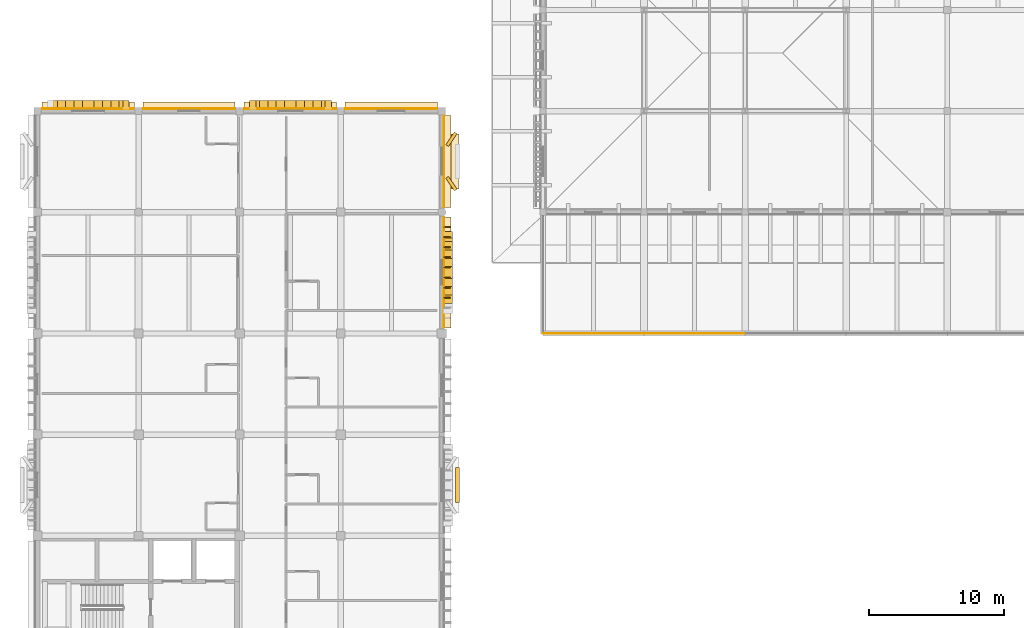
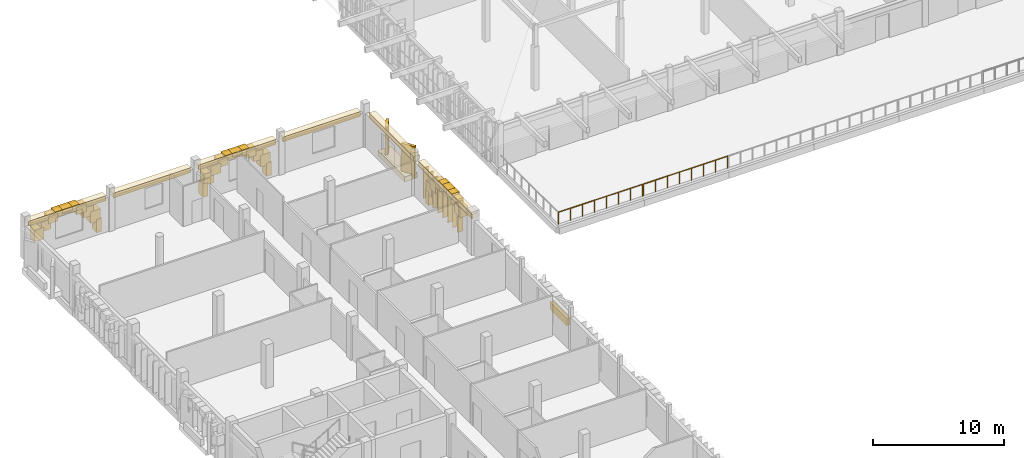
# One storey, part 39 of 48: 46 coverings, 8 shading devices, 2 railings.
"""IFC4 building model written with IfcOpenShell, lengths in metres."""

import ifcopenshell
import ifcopenshell.guid

model = None  # the IFC model being written
_history = None  # IfcOwnerHistory: only IFC2X3 demands one
_inside = {}  # id of a spatial element -> (the spatial element, [elements in it])
_under = {}  # id of a project, library or spatial element -> (it, [spatial elements below it])
_declared = {}  # id of a project -> (the project, [libraries it declares])
_typed = {}  # id of a type object -> (the type object, [elements of that type])
_made_of = {}  # id of a material, layer set ... -> (it, [elements and type objects made of it])


def new_model(schema):
    """Start an empty IFC model of exactly this schema.

    Asked for "IFC4X3", IfcOpenShell would pick the latest addendum, in which some entities
    have other attributes; the version numbers below select the first issue.
    IFC2X3 requires an IfcOwnerHistory on every rooted entity: one is made here for all.
    """
    global model, _history
    if schema == "IFC4X3":
        model = ifcopenshell.file(schema_version=(4, 3, 0, 0))
    else:
        model = ifcopenshell.file(schema=schema)
    _inside.clear()
    _under.clear()
    _declared.clear()
    _typed.clear()
    _made_of.clear()
    _history = None
    if model.schema == "IFC2X3":
        org = make("IfcOrganization", Name="unknown")
        user = make(
            "IfcPersonAndOrganization",
            ThePerson=make("IfcPerson", FamilyName="unknown"),
            TheOrganization=org,
        )
        app = make(
            "IfcApplication",
            ApplicationDeveloper=org,
            Version="unknown",
            ApplicationFullName="unknown",
            ApplicationIdentifier="unknown",
        )
        _history = make(
            "IfcOwnerHistory",
            OwningUser=user,
            OwningApplication=app,
            ChangeAction="ADDED",
            CreationDate=0,
        )
    return model


def make(cls, **values):
    """One entity of the class cls with the attributes given. An attribute that is None is left unset."""
    return model.create_entity(
        cls, **{name: value for name, value in values.items() if value is not None}
    )


def rooted(cls, **values):
    """An entity with a GlobalId (a new one), such as an element, a storey or a relation."""
    return make(cls, GlobalId=ifcopenshell.guid.new(), OwnerHistory=_history, **values)


def si_unit(unit_type, name, prefix=None):
    """IfcSIUnit, for example si_unit("LENGTHUNIT", "METRE", prefix="MILLI")."""
    return make("IfcSIUnit", UnitType=unit_type, Prefix=prefix, Name=name)


def assignment(units):
    """IfcUnitAssignment: the units of a project."""
    return None if units is None else make("IfcUnitAssignment", Units=units)


def point(xyz):
    """IfcCartesianPoint."""
    return None if xyz is None else make("IfcCartesianPoint", Coordinates=xyz)


def direction(xyz):
    """IfcDirection."""
    return None if xyz is None else make("IfcDirection", DirectionRatios=xyz)


def frame(location, z_axis=None, x_axis=None):
    """IfcAxis2Placement3D, a coordinate frame: its origin and axes. An axis left out is left unset."""
    return make(
        "IfcAxis2Placement3D",
        Location=point(location),
        Axis=direction(z_axis),
        RefDirection=direction(x_axis),
    )


def frame_2d(location, x_axis=None):
    """IfcAxis2Placement2D, a coordinate frame in the plane: its origin and x axis."""
    return make(
        "IfcAxis2Placement2D", Location=point(location), RefDirection=direction(x_axis)
    )


def origin():
    """The frame at (0, 0, 0) with its axes left unset."""
    return frame((0.0, 0.0, 0.0))


def origin_2d():
    """The frame at (0, 0) in the plane with its x axis left unset."""
    return frame_2d((0.0, 0.0))


def place(relative_to, where):
    """IfcLocalPlacement: puts the frame where relative to a parent placement (None: the world)."""
    return make(
        "IfcLocalPlacement", PlacementRelTo=relative_to, RelativePlacement=where
    )


def context(
    kind, dimensions, precision=None, world=None, true_north=None, identifier=None
):
    """IfcGeometricRepresentationContext, for example the 3D "Model" context."""
    return make(
        "IfcGeometricRepresentationContext",
        ContextIdentifier=identifier,
        ContextType=kind,
        CoordinateSpaceDimension=dimensions,
        Precision=precision,
        WorldCoordinateSystem=world,
        TrueNorth=true_north,
    )


def subcontext(parent, identifier, kind, view, scale=None):
    """IfcGeometricRepresentationSubContext, for example "Body" below "Model"."""
    return make(
        "IfcGeometricRepresentationSubContext",
        ContextIdentifier=identifier,
        ContextType=kind,
        ParentContext=parent,
        TargetScale=scale,
        TargetView=view,
    )


def project(units=None, contexts=None):
    """IfcProject with its units and contexts."""
    return rooted(
        "IfcProject",
        Name="project",
        RepresentationContexts=contexts,
        UnitsInContext=assignment(units),
    )


def spatial(cls, under=None, at=None, **own):
    """A site, building, storey or space (cls), placed at a placement, below another one or the project."""
    s = rooted(cls, ObjectPlacement=at, **own)
    if under is not None:
        _under.setdefault(under.id(), (under, []))[1].append(s)
    return s


def profile(cls, at=None, kind="AREA", **sizes):
    """A parametric profile (cls). Its sizes go by their IFC names, for example OverallWidth=200.0."""
    return make(cls, ProfileType=kind, Position=at, **sizes)


def rectangle(**sizes):
    """IfcRectangleProfileDef."""
    return profile("IfcRectangleProfileDef", **sizes)


def circle(**sizes):
    """IfcCircleProfileDef."""
    return profile("IfcCircleProfileDef", **sizes)


def extrude(swept, where, along, depth):
    """IfcExtrudedAreaSolid: the profile swept, set in the frame where, extruded along a direction by depth."""
    return make(
        "IfcExtrudedAreaSolid",
        SweptArea=swept,
        Position=where,
        ExtrudedDirection=direction(along),
        Depth=depth,
    )


def shape(context_of_items, identifier, shape_type, items):
    """IfcShapeRepresentation: the items that make up one representation, for example the "Body"."""
    return make(
        "IfcShapeRepresentation",
        ContextOfItems=context_of_items,
        RepresentationIdentifier=identifier,
        RepresentationType=shape_type,
        Items=items,
    )


def material(Name=None, Category=None):
    """IfcMaterial."""
    return make("IfcMaterial", Name=Name, Category=Category)


def layer(
    of_material, thickness, ventilated=None, Name=None, Category=None, Priority=None
):
    """IfcMaterialLayer: one layer of a wall or slab, of a material (None: an air gap)."""
    return make(
        "IfcMaterialLayer",
        Material=of_material,
        LayerThickness=thickness,
        IsVentilated=ventilated,
        Name=Name,
        Category=Category,
        Priority=Priority,
    )


def layer_set(layers, Name=None):
    """IfcMaterialLayerSet."""
    return make("IfcMaterialLayerSet", MaterialLayers=layers, LayerSetName=Name)


def made_of(thing, what):
    """Note that an element or type object is made of a material, layer set ...; save() writes the relation."""
    if what is not None:
        _made_of.setdefault(what.id(), (what, []))[1].append(thing)
    return thing


def type_object(cls, material=None, **own):
    """A type object (cls), such as IfcWallType, which elements share."""
    return made_of(rooted(cls, **own), material)


def element(
    cls,
    number,
    at=None,
    inside=None,
    cuts=None,
    type_object=None,
    material=None,
    context=None,
    identifier="Body",
    shape_type=None,
    held_by="IfcProductDefinitionShape",
    body=None,
    shapes=None,
    **own,
):
    """One element of the class cls, such as IfcWall. Its Tag is "e" and its number.

    at: its placement. inside: the storey or other place that contains it. cuts: it is an
    opening in that element (IfcRelVoidsElement). A single representation is given by context,
    identifier, shape_type and body (its items); several are given by shapes. held_by: the class
    of the entity that holds the representations. save() writes the other relations.
    """
    e = rooted(cls, Tag="e%d" % number, ObjectPlacement=at, **own)
    if body is not None:
        shapes = [shape(context, identifier, shape_type, body)]
    if shapes is not None:
        e.Representation = make(held_by, Representations=shapes)
    if inside is not None:
        _inside.setdefault(inside.id(), (inside, []))[1].append(e)
    if cuts is not None:
        rooted(
            "IfcRelVoidsElement", RelatingBuildingElement=cuts, RelatedOpeningElement=e
        )
    if type_object is not None:
        _typed.setdefault(type_object.id(), (type_object, []))[1].append(e)
    return made_of(e, material)


def aggregate(whole, parts):
    """IfcRelAggregates: a whole, such as a stair, and the parts it consists of."""
    return rooted("IfcRelAggregates", RelatingObject=whole, RelatedObjects=parts)


def save(model, path):
    """Write the relations noted so far, then the file.

    IfcRelAggregates (storeys below a building ...), IfcRelContainedInSpatialStructure (elements
    in a storey), IfcRelDefinesByType, IfcRelAssociatesMaterial and IfcRelDeclares: one each for
    every whole, place, type object, material and project.
    """
    for whole, parts in _under.values():
        aggregate(whole, parts)
    for where, things in _inside.values():
        rooted(
            "IfcRelContainedInSpatialStructure",
            RelatedElements=things,
            RelatingStructure=where,
        )
    for kind, things in _typed.values():
        rooted("IfcRelDefinesByType", RelatedObjects=things, RelatingType=kind)
    for what, things in _made_of.values():
        rooted("IfcRelAssociatesMaterial", RelatedObjects=things, RelatingMaterial=what)
    for by, libraries in _declared.values():
        rooted("IfcRelDeclares", RelatingContext=by, RelatedDefinitions=libraries)
    model.write(path)


model = new_model("IFC4")

# Units and contexts
model_context = context("Model", 3, precision=1e-05, world=origin(), true_north=direction((0.0, 1.0)))
body_context = subcontext(model_context, "Body", "Model", "MODEL_VIEW")
ifc_project = project(units=[si_unit("LENGTHUNIT", "METRE"), si_unit("AREAUNIT", "SQUARE_METRE"), si_unit("VOLUMEUNIT", "CUBIC_METRE"), si_unit("PLANEANGLEUNIT", "RADIAN"), si_unit("MASSUNIT", "GRAM", prefix="KILO")], contexts=[model_context])

# Site, building, storey
site_placement = place(None, origin())
site = spatial("IfcSite", under=ifc_project, at=site_placement, CompositionType="ELEMENT")
building_placement = place(site_placement, origin())
building = spatial("IfcBuilding", under=site, at=building_placement, Name="Dalvernix Boulevard General Hospital", CompositionType="ELEMENT")
storey_placement = place(building_placement, frame((0.0, 0.0, 17.85009765625)))
storey = spatial("IfcBuildingStorey", under=building, at=storey_placement, Name="L04", CompositionType="ELEMENT", Elevation=17.85009765625)

# Coverings
ifc_material_1 = material(Name="Pressed Catalan clay brick and dressed limestone parabolic archivolt", Category="masonry")
ifc_layer_1 = layer(ifc_material_1, 0.419921875)
ifc_layer_set_1 = layer_set([ifc_layer_1], Name="Pressed Catalan clay brick and dressed limestone parabolic archivolt (COV-ARC-01)")
covering_type_1 = type_object("IfcCoveringType", Name="COV-ARC-01", PredefinedType="CLADDING", material=ifc_layer_set_1)
covering_1_placement = place(storey_placement, frame((6.5625, 93.4599609375, 0.0), z_axis=(0.0, 0.0, 1.0), x_axis=(1.0, 0.0, 0.0)))
element("IfcCovering", 1, at=covering_1_placement, inside=storey, type_object=covering_type_1, Name="L04 Catalan parabolic arch impost pier N 0-12-R", PredefinedType="CLADDING", context=body_context, shape_type="SweptSolid", body=[
    extrude(rectangle(XDim=0.4599609375, YDim=0.659912109375, at=origin_2d()), origin(), (0.0, 0.0, 1.0), 1.25),
])
covering_2_placement = place(storey_placement, frame((1.273681640625, 93.4599609375, 1.06005859375), z_axis=(0.0, 0.0, 1.0), x_axis=(1.0, 0.0, 0.0)))
element("IfcCovering", 2, at=covering_2_placement, inside=storey, type_object=covering_type_1, Name="L04 Catalan parabolic archivolt voussoir N 0-12-1", PredefinedType="CLADDING", context=body_context, shape_type="SweptSolid", body=[
    extrude(rectangle(XDim=0.8623046875, YDim=0.659912109375, at=origin_2d()), origin(), (0.0, 0.0, 1.0), 1.091064453125),
])
covering_3_placement = place(storey_placement, frame((1.895751953125, 93.4599609375, 1.77099609375), z_axis=(0.0, 0.0, 1.0), x_axis=(1.0, 0.0, 0.0)))
element("IfcCovering", 3, at=covering_3_placement, inside=storey, type_object=covering_type_1, Name="L04 Catalan parabolic archivolt voussoir N 0-12-2", PredefinedType="CLADDING", context=body_context, shape_type="SweptSolid", body=[
    extrude(rectangle(XDim=0.8623046875, YDim=0.659912109375, at=origin_2d()), origin(), (0.0, 0.0, 1.0), 0.913330078125),
])
covering_4_placement = place(storey_placement, frame((2.51806640625, 93.4599609375, 2.30419921875), z_axis=(0.0, 0.0, 1.0), x_axis=(1.0, 0.0, 0.0)))
element("IfcCovering", 4, at=covering_4_placement, inside=storey, type_object=covering_type_1, Name="L04 Catalan parabolic archivolt voussoir N 0-12-3", PredefinedType="CLADDING", context=body_context, shape_type="SweptSolid", body=[
    extrude(rectangle(XDim=0.8623046875, YDim=0.659912109375, at=origin_2d()), origin(), (0.0, 0.0, 1.0), 0.735595703125),
])
covering_5_placement = place(storey_placement, frame((3.140380859375, 93.4599609375, 2.65966796875), z_axis=(0.0, 0.0, 1.0), x_axis=(1.0, 0.0, 0.0)))
element("IfcCovering", 5, at=covering_5_placement, inside=storey, type_object=covering_type_1, Name="L04 Catalan parabolic archivolt voussoir N 0-12-4", PredefinedType="CLADDING", context=body_context, shape_type="SweptSolid", body=[
    extrude(rectangle(XDim=0.8623046875, YDim=0.659912109375, at=origin_2d()), origin(), (0.0, 0.0, 1.0), 0.557861328125),
])
covering_6_placement = place(storey_placement, frame((3.762451171875, 93.4599609375, 2.837646484375), z_axis=(0.0, 0.0, 1.0), x_axis=(1.0, 0.0, 0.0)))
element("IfcCovering", 6, at=covering_6_placement, inside=storey, type_object=covering_type_1, Name="L04 Catalan parabolic archivolt voussoir N 0-12-5", PredefinedType="CLADDING", context=body_context, shape_type="SweptSolid", body=[
    extrude(rectangle(XDim=0.8623046875, YDim=0.659912109375, at=origin_2d()), origin(), (0.0, 0.0, 1.0), 0.3798828125),
])
covering_7_placement = place(storey_placement, frame((4.384765625, 93.4599609375, 2.65966796875), z_axis=(0.0, 0.0, 1.0), x_axis=(1.0, 0.0, 0.0)))
element("IfcCovering", 7, at=covering_7_placement, inside=storey, type_object=covering_type_1, Name="L04 Catalan parabolic archivolt voussoir N 0-12-6", PredefinedType="CLADDING", context=body_context, shape_type="SweptSolid", body=[
    extrude(rectangle(XDim=0.8623046875, YDim=0.659912109375, at=origin_2d()), origin(), (0.0, 0.0, 1.0), 0.557861328125),
])
covering_8_placement = place(storey_placement, frame((5.0068359375, 93.4599609375, 2.30419921875), z_axis=(0.0, 0.0, 1.0), x_axis=(1.0, 0.0, 0.0)))
element("IfcCovering", 8, at=covering_8_placement, inside=storey, type_object=covering_type_1, Name="L04 Catalan parabolic archivolt voussoir N 0-12-7", PredefinedType="CLADDING", context=body_context, shape_type="SweptSolid", body=[
    extrude(rectangle(XDim=0.8623046875, YDim=0.659912109375, at=origin_2d()), origin(), (0.0, 0.0, 1.0), 0.735595703125),
])
covering_9_placement = place(storey_placement, frame((5.629150390625, 93.4599609375, 1.77099609375), z_axis=(0.0, 0.0, 1.0), x_axis=(1.0, 0.0, 0.0)))
element("IfcCovering", 9, at=covering_9_placement, inside=storey, type_object=covering_type_1, Name="L04 Catalan parabolic archivolt voussoir N 0-12-8", PredefinedType="CLADDING", context=body_context, shape_type="SweptSolid", body=[
    extrude(rectangle(XDim=0.8623046875, YDim=0.659912109375, at=origin_2d()), origin(), (0.0, 0.0, 1.0), 0.913330078125),
])
covering_10_placement = place(storey_placement, frame((6.25146484375, 93.4599609375, 1.06005859375), z_axis=(0.0, 0.0, 1.0), x_axis=(1.0, 0.0, 0.0)))
element("IfcCovering", 10, at=covering_10_placement, inside=storey, type_object=covering_type_1, Name="L04 Catalan parabolic archivolt voussoir N 0-12-9", PredefinedType="CLADDING", context=body_context, shape_type="SweptSolid", body=[
    extrude(rectangle(XDim=0.8623046875, YDim=0.659912109375, at=origin_2d()), origin(), (0.0, 0.0, 1.0), 1.091064453125),
])
for number, where, z_axis, x_axis, name in (
    (11, (15.96240234375, 93.4599609375, 0.0), (0.0, 0.0, 1.0), (1.0, 0.0, 0.0), "L04 Catalan parabolic arch impost pier N 2-12-L"),
    (12, (21.5625, 93.4599609375, 0.0), (0.0, 0.0, 1.0), (1.0, 0.0, 0.0), "L04 Catalan parabolic arch impost pier N 2-12-R"),
):
    element("IfcCovering", number, at=place(storey_placement, frame(where, z_axis=z_axis, x_axis=x_axis)), inside=storey, type_object=covering_type_1, Name=name, PredefinedType="CLADDING", context=body_context, shape_type="SweptSolid", body=[
        extrude(rectangle(XDim=0.4599609375, YDim=0.659912109375, at=origin_2d()), origin(), (0.0, 0.0, 1.0), 1.25),
    ])
covering_11_placement = place(storey_placement, frame((16.273681640625, 93.4599609375, 1.06005859375), z_axis=(0.0, 0.0, 1.0), x_axis=(1.0, 0.0, 0.0)))
element("IfcCovering", 13, at=covering_11_placement, inside=storey, type_object=covering_type_1, Name="L04 Catalan parabolic archivolt voussoir N 2-12-1", PredefinedType="CLADDING", context=body_context, shape_type="SweptSolid", body=[
    extrude(rectangle(XDim=0.8623046875, YDim=0.659912109375, at=origin_2d()), origin(), (0.0, 0.0, 1.0), 1.091064453125),
])
covering_12_placement = place(storey_placement, frame((16.895751953125, 93.4599609375, 1.77099609375), z_axis=(0.0, 0.0, 1.0), x_axis=(1.0, 0.0, 0.0)))
element("IfcCovering", 14, at=covering_12_placement, inside=storey, type_object=covering_type_1, Name="L04 Catalan parabolic archivolt voussoir N 2-12-2", PredefinedType="CLADDING", context=body_context, shape_type="SweptSolid", body=[
    extrude(rectangle(XDim=0.8623046875, YDim=0.659912109375, at=origin_2d()), origin(), (0.0, 0.0, 1.0), 0.913330078125),
])
covering_13_placement = place(storey_placement, frame((17.51806640625, 93.4599609375, 2.30419921875), z_axis=(0.0, 0.0, 1.0), x_axis=(1.0, 0.0, 0.0)))
element("IfcCovering", 15, at=covering_13_placement, inside=storey, type_object=covering_type_1, Name="L04 Catalan parabolic archivolt voussoir N 2-12-3", PredefinedType="CLADDING", context=body_context, shape_type="SweptSolid", body=[
    extrude(rectangle(XDim=0.8623046875, YDim=0.659912109375, at=origin_2d()), origin(), (0.0, 0.0, 1.0), 0.735595703125),
])
covering_14_placement = place(storey_placement, frame((18.140380859375, 93.4599609375, 2.65966796875), z_axis=(0.0, 0.0, 1.0), x_axis=(1.0, 0.0, 0.0)))
element("IfcCovering", 16, at=covering_14_placement, inside=storey, type_object=covering_type_1, Name="L04 Catalan parabolic archivolt voussoir N 2-12-4", PredefinedType="CLADDING", context=body_context, shape_type="SweptSolid", body=[
    extrude(rectangle(XDim=0.8623046875, YDim=0.659912109375, at=origin_2d()), origin(), (0.0, 0.0, 1.0), 0.557861328125),
])
covering_15_placement = place(storey_placement, frame((18.762451171875, 93.4599609375, 2.837646484375), z_axis=(0.0, 0.0, 1.0), x_axis=(1.0, 0.0, 0.0)))
element("IfcCovering", 17, at=covering_15_placement, inside=storey, type_object=covering_type_1, Name="L04 Catalan parabolic archivolt voussoir N 2-12-5", PredefinedType="CLADDING", context=body_context, shape_type="SweptSolid", body=[
    extrude(rectangle(XDim=0.8623046875, YDim=0.659912109375, at=origin_2d()), origin(), (0.0, 0.0, 1.0), 0.3798828125),
])
covering_16_placement = place(storey_placement, frame((19.384765625, 93.4599609375, 2.65966796875), z_axis=(0.0, 0.0, 1.0), x_axis=(1.0, 0.0, 0.0)))
element("IfcCovering", 18, at=covering_16_placement, inside=storey, type_object=covering_type_1, Name="L04 Catalan parabolic archivolt voussoir N 2-12-6", PredefinedType="CLADDING", context=body_context, shape_type="SweptSolid", body=[
    extrude(rectangle(XDim=0.8623046875, YDim=0.659912109375, at=origin_2d()), origin(), (0.0, 0.0, 1.0), 0.557861328125),
])
covering_17_placement = place(storey_placement, frame((20.0068359375, 93.4599609375, 2.30419921875), z_axis=(0.0, 0.0, 1.0), x_axis=(1.0, 0.0, 0.0)))
element("IfcCovering", 19, at=covering_17_placement, inside=storey, type_object=covering_type_1, Name="L04 Catalan parabolic archivolt voussoir N 2-12-7", PredefinedType="CLADDING", context=body_context, shape_type="SweptSolid", body=[
    extrude(rectangle(XDim=0.8623046875, YDim=0.659912109375, at=origin_2d()), origin(), (0.0, 0.0, 1.0), 0.735595703125),
])
covering_18_placement = place(storey_placement, frame((20.629150390625, 93.4599609375, 1.77099609375), z_axis=(0.0, 0.0, 1.0), x_axis=(1.0, 0.0, 0.0)))
element("IfcCovering", 20, at=covering_18_placement, inside=storey, type_object=covering_type_1, Name="L04 Catalan parabolic archivolt voussoir N 2-12-8", PredefinedType="CLADDING", context=body_context, shape_type="SweptSolid", body=[
    extrude(rectangle(XDim=0.8623046875, YDim=0.659912109375, at=origin_2d()), origin(), (0.0, 0.0, 1.0), 0.913330078125),
])
covering_19_placement = place(storey_placement, frame((21.25146484375, 93.4599609375, 1.06005859375), z_axis=(0.0, 0.0, 1.0), x_axis=(1.0, 0.0, 0.0)))
element("IfcCovering", 21, at=covering_19_placement, inside=storey, type_object=covering_type_1, Name="L04 Catalan parabolic archivolt voussoir N 2-12-9", PredefinedType="CLADDING", context=body_context, shape_type="SweptSolid", body=[
    extrude(rectangle(XDim=0.8623046875, YDim=0.659912109375, at=origin_2d()), origin(), (0.0, 0.0, 1.0), 1.091064453125),
])
covering_20_placement = place(storey_placement, frame((30.4599609375, 83.824951171875, 0.0), z_axis=(0.0, 0.0, 1.0), x_axis=(0.0, -1.0, 0.0)))
element("IfcCovering", 22, at=covering_20_placement, inside=storey, type_object=covering_type_1, Name="L04 Catalan parabolic arch impost pier E 4-10-L", PredefinedType="CLADDING", context=body_context, shape_type="SweptSolid", body=[
    extrude(rectangle(XDim=0.4599609375, YDim=0.659912109375, at=origin_2d()), origin(), (0.0, 0.0, 1.0), 1.25),
])
covering_21_placement = place(storey_placement, frame((30.4599609375, 83.513916015625, 1.059814453125), z_axis=(0.0, 0.0, 1.0), x_axis=(0.0, -1.0, 0.0)))
element("IfcCovering", 23, at=covering_21_placement, inside=storey, type_object=covering_type_1, Name="L04 Catalan parabolic archivolt voussoir E 4-10-1", PredefinedType="CLADDING", context=body_context, shape_type="SweptSolid", body=[
    extrude(rectangle(XDim=0.8623046875, YDim=0.659912109375, at=origin_2d()), origin(), (0.0, 0.0, 1.0), 1.11083984375),
])
covering_22_placement = place(storey_placement, frame((30.4599609375, 82.8916015625, 1.791015625), z_axis=(0.0, 0.0, 1.0), x_axis=(0.0, -1.0, 0.0)))
element("IfcCovering", 24, at=covering_22_placement, inside=storey, type_object=covering_type_1, Name="L04 Catalan parabolic archivolt voussoir E 4-10-2", PredefinedType="CLADDING", context=body_context, shape_type="SweptSolid", body=[
    extrude(rectangle(XDim=0.8623046875, YDim=0.659912109375, at=origin_2d()), origin(), (0.0, 0.0, 1.0), 0.927978515625),
])
covering_23_placement = place(storey_placement, frame((30.4599609375, 82.269287109375, 2.3388671875), z_axis=(0.0, 0.0, 1.0), x_axis=(0.0, -1.0, 0.0)))
element("IfcCovering", 25, at=covering_23_placement, inside=storey, type_object=covering_type_1, Name="L04 Catalan parabolic archivolt voussoir E 4-10-3", PredefinedType="CLADDING", context=body_context, shape_type="SweptSolid", body=[
    extrude(rectangle(XDim=0.8623046875, YDim=0.659912109375, at=origin_2d()), origin(), (0.0, 0.0, 1.0), 0.745361328125),
])
covering_24_placement = place(storey_placement, frame((30.4599609375, 81.647216796875, 2.7041015625), z_axis=(0.0, 0.0, 1.0), x_axis=(0.0, -1.0, 0.0)))
element("IfcCovering", 26, at=covering_24_placement, inside=storey, type_object=covering_type_1, Name="L04 Catalan parabolic archivolt voussoir E 4-10-4", PredefinedType="CLADDING", context=body_context, shape_type="SweptSolid", body=[
    extrude(rectangle(XDim=0.8623046875, YDim=0.659912109375, at=origin_2d()), origin(), (0.0, 0.0, 1.0), 0.562744140625),
])
covering_25_placement = place(storey_placement, frame((30.4599609375, 81.02490234375, 2.88720703125), z_axis=(0.0, 0.0, 1.0), x_axis=(0.0, -1.0, 0.0)))
element("IfcCovering", 27, at=covering_25_placement, inside=storey, type_object=covering_type_1, Name="L04 Catalan parabolic archivolt voussoir E 4-10-5", PredefinedType="CLADDING", context=body_context, shape_type="SweptSolid", body=[
    extrude(rectangle(XDim=0.8623046875, YDim=0.659912109375, at=origin_2d()), origin(), (0.0, 0.0, 1.0), 0.3798828125),
])
covering_26_placement = place(storey_placement, frame((30.4599609375, 80.40283203125, 2.7041015625), z_axis=(0.0, 0.0, 1.0), x_axis=(0.0, -1.0, 0.0)))
element("IfcCovering", 28, at=covering_26_placement, inside=storey, type_object=covering_type_1, Name="L04 Catalan parabolic archivolt voussoir E 4-10-6", PredefinedType="CLADDING", context=body_context, shape_type="SweptSolid", body=[
    extrude(rectangle(XDim=0.8623046875, YDim=0.659912109375, at=origin_2d()), origin(), (0.0, 0.0, 1.0), 0.562744140625),
])
covering_27_placement = place(storey_placement, frame((30.4599609375, 79.780517578125, 2.3388671875), z_axis=(0.0, 0.0, 1.0), x_axis=(0.0, -1.0, 0.0)))
element("IfcCovering", 29, at=covering_27_placement, inside=storey, type_object=covering_type_1, Name="L04 Catalan parabolic archivolt voussoir E 4-10-7", PredefinedType="CLADDING", context=body_context, shape_type="SweptSolid", body=[
    extrude(rectangle(XDim=0.8623046875, YDim=0.659912109375, at=origin_2d()), origin(), (0.0, 0.0, 1.0), 0.745361328125),
])
covering_28_placement = place(storey_placement, frame((30.4599609375, 79.158203125, 1.791015625), z_axis=(0.0, 0.0, 1.0), x_axis=(0.0, -1.0, 0.0)))
element("IfcCovering", 30, at=covering_28_placement, inside=storey, type_object=covering_type_1, Name="L04 Catalan parabolic archivolt voussoir E 4-10-8", PredefinedType="CLADDING", context=body_context, shape_type="SweptSolid", body=[
    extrude(rectangle(XDim=0.8623046875, YDim=0.659912109375, at=origin_2d()), origin(), (0.0, 0.0, 1.0), 0.927978515625),
])
ifc_material_2 = material(Name="Polychrome glazed Catalan trencadis ceramic faceted bay spandrel")
ifc_layer_2 = layer(ifc_material_2, 0.280029296875)
ifc_layer_set_2 = layer_set([ifc_layer_2], Name="Polychrome glazed Catalan trencadis ceramic faceted bay spandrel (COV-BAY-01)")
covering_type_2 = type_object("IfcCoveringType", Name="COV-BAY-01", PredefinedType="CLADDING", material=ifc_layer_set_2)
covering_29_placement = place(storey_placement, frame((31.159912109375, 65.25, 0.3798828125), z_axis=(0.0, 0.0, 1.0), x_axis=(0.0, -1.0, 0.0)))
element("IfcCovering", 31, at=covering_29_placement, inside=storey, type_object=covering_type_2, Name="L04 projecting faceted trencadis bay spandrel E 4-8", PredefinedType="CLADDING", context=body_context, shape_type="SweptSolid", body=[
    extrude(rectangle(XDim=2.60009765625, YDim=0.280029296875, at=origin_2d()), origin(), (0.0, 0.0, 1.0), 0.679931640625),
])
for number, where, z_axis, x_axis, name in (
    (32, (30.7099609375, 90.91259765625, 0.080078125), (0.0, 0.0, 1.0), (-0.559192903471, -0.829037572555, 0.0), "L04 projecting faceted Catalan bay cheek E 4-11-L"),
    (33, (30.7099609375, 87.612548828125, 0.080078125), (0.0, 0.0, 1.0), (0.559192903471, -0.829037572555, 0.0), "L04 projecting faceted Catalan bay cheek E 4-11-R"),
):
    element("IfcCovering", number, at=place(storey_placement, frame(where, z_axis=z_axis, x_axis=x_axis)), inside=storey, type_object=covering_type_2, Name=name, PredefinedType="CLADDING", context=body_context, shape_type="SweptSolid", body=[
        extrude(rectangle(XDim=1.14990234375, YDim=0.239990234375, at=origin_2d()), origin(), (0.0, 0.0, 1.0), 3.010009765625),
    ])
ifc_material_3 = material(Name="Polychrome Catalan glazed ceramic spandrel tile panel")
ifc_layer_3 = layer(ifc_material_3, 0.044921875)
ifc_layer_set_3 = layer_set([ifc_layer_3], Name="Polychrome Catalan glazed ceramic spandrel tile panel (COV-CLD-01)")
covering_type_3 = type_object("IfcCoveringType", Name="COV-CLD-01", PredefinedType="CLADDING", material=ifc_layer_set_3)
for number, where, z_axis, x_axis, name in (
    (34, (3.762451171875, 93.169921875, 2.69482421875), (0.0, 0.0, 1.0), (1.0, 0.0, 0.0), "L04 polychrome ceramic spandrel N 0-12"),
    (35, (11.237548828125, 93.169921875, 2.69482421875), (0.0, 0.0, 1.0), (1.0, 0.0, 0.0), "L04 polychrome ceramic spandrel N 1-12"),
    (36, (18.762451171875, 93.169921875, 2.69482421875), (0.0, 0.0, 1.0), (1.0, 0.0, 0.0), "L04 polychrome ceramic spandrel N 2-12"),
):
    element("IfcCovering", number, at=place(storey_placement, frame(where, z_axis=z_axis, x_axis=x_axis)), inside=storey, type_object=covering_type_3, Name=name, PredefinedType="CLADDING", context=body_context, shape_type="SweptSolid", body=[
        extrude(rectangle(XDim=6.85498046875, YDim=0.044921875, at=origin_2d()), origin(), (0.0, 0.0, 1.0), 0.449951171875),
    ])
covering_30_placement = place(storey_placement, frame((30.169921875, 81.02490234375, 2.7451171875), z_axis=(0.0, 0.0, 1.0), x_axis=(0.0, -1.0, 0.0)))
element("IfcCovering", 37, at=covering_30_placement, inside=storey, type_object=covering_type_3, Name="L04 polychrome ceramic spandrel E 4-10", PredefinedType="CLADDING", context=body_context, shape_type="SweptSolid", body=[
    extrude(rectangle(XDim=8.22998046875, YDim=0.044921875, at=origin_2d()), origin(), (0.0, 0.0, 1.0), 0.449951171875),
])
covering_31_placement = place(storey_placement, frame((26.237548828125, 93.169921875, 2.69482421875), z_axis=(0.0, 0.0, 1.0), x_axis=(1.0, 0.0, 0.0)))
element("IfcCovering", 38, at=covering_31_placement, inside=storey, type_object=covering_type_3, Name="L04 polychrome ceramic spandrel N 3-12", PredefinedType="CLADDING", context=body_context, shape_type="SweptSolid", body=[
    extrude(rectangle(XDim=6.85498046875, YDim=0.044921875, at=origin_2d()), origin(), (0.0, 0.0, 1.0), 0.449951171875),
])
covering_32_placement = place(storey_placement, frame((30.169921875, 89.262451171875, 2.69482421875), z_axis=(0.0, 0.0, 1.0), x_axis=(0.0, -1.0, 0.0)))
element("IfcCovering", 39, at=covering_32_placement, inside=storey, type_object=covering_type_3, Name="L04 polychrome ceramic spandrel E 4-11", PredefinedType="CLADDING", context=body_context, shape_type="SweptSolid", body=[
    extrude(rectangle(XDim=6.804931640625, YDim=0.044921875, at=origin_2d()), origin(), (0.0, 0.0, 1.0), 0.449951171875),
])
ifc_material_4 = material(Name="Dressed ochre limestone classical plinth, stringcourse and corbelled cornice", Category="masonry")
ifc_layer_4 = layer(ifc_material_4, 0.449951171875)
ifc_layer_set_4 = layer_set([ifc_layer_4], Name="Dressed ochre limestone classical plinth, stringcourse and corbelled cornice (COV-CRN-01)")
covering_type_4 = type_object("IfcCoveringType", Name="COV-CRN-01", PredefinedType="CLADDING", material=ifc_layer_set_4)
for number, where, z_axis, x_axis, name in (
    (40, (3.762451171875, 93.409912109375, 2.77001953125), (0.0, 0.0, 1.0), (1.0, 0.0, 0.0), "L04 classical corbelled cornice frieze N 0-12"),
    (41, (11.237548828125, 93.409912109375, 2.77001953125), (0.0, 0.0, 1.0), (1.0, 0.0, 0.0), "L04 classical corbelled cornice frieze N 1-12"),
    (42, (18.762451171875, 93.409912109375, 2.77001953125), (0.0, 0.0, 1.0), (1.0, 0.0, 0.0), "L04 classical corbelled cornice frieze N 2-12"),
):
    element("IfcCovering", number, at=place(storey_placement, frame(where, z_axis=z_axis, x_axis=x_axis)), inside=storey, type_object=covering_type_4, Name=name, PredefinedType="CLADDING", context=body_context, shape_type="SweptSolid", body=[
        extrude(rectangle(XDim=6.85498046875, YDim=0.56005859375, at=origin_2d()), origin(), (0.0, 0.0, 1.0), 0.39990234375),
    ])
covering_33_placement = place(storey_placement, frame((30.409912109375, 81.02490234375, 2.820068359375), z_axis=(0.0, 0.0, 1.0), x_axis=(0.0, -1.0, 0.0)))
element("IfcCovering", 43, at=covering_33_placement, inside=storey, type_object=covering_type_4, Name="L04 classical corbelled cornice frieze E 4-10", PredefinedType="CLADDING", context=body_context, shape_type="SweptSolid", body=[
    extrude(rectangle(XDim=8.22998046875, YDim=0.56005859375, at=origin_2d()), origin(), (0.0, 0.0, 1.0), 0.39990234375),
])
covering_34_placement = place(storey_placement, frame((26.237548828125, 93.409912109375, 2.77001953125), z_axis=(0.0, 0.0, 1.0), x_axis=(1.0, 0.0, 0.0)))
element("IfcCovering", 44, at=covering_34_placement, inside=storey, type_object=covering_type_4, Name="L04 classical corbelled cornice frieze N 3-12", PredefinedType="CLADDING", context=body_context, shape_type="SweptSolid", body=[
    extrude(rectangle(XDim=6.85498046875, YDim=0.56005859375, at=origin_2d()), origin(), (0.0, 0.0, 1.0), 0.39990234375),
])
covering_35_placement = place(storey_placement, frame((30.409912109375, 89.262451171875, 2.77001953125), z_axis=(0.0, 0.0, 1.0), x_axis=(0.0, -1.0, 0.0)))
element("IfcCovering", 45, at=covering_35_placement, inside=storey, type_object=covering_type_4, Name="L04 classical corbelled cornice frieze E 4-11", PredefinedType="CLADDING", context=body_context, shape_type="SweptSolid", body=[
    extrude(rectangle(XDim=6.804931640625, YDim=0.56005859375, at=origin_2d()), origin(), (0.0, 0.0, 1.0), 0.39990234375),
])
covering_36_placement = place(storey_placement, frame((30.705078125, 89.262451171875, 0.0), z_axis=(0.0, 0.0, 1.0), x_axis=(0.0, -1.0, 0.0)))
element("IfcCovering", 46, at=covering_36_placement, inside=storey, type_object=covering_type_4, Name="L04 projecting Catalan bay corbel base E 4-11", PredefinedType="CLADDING", context=body_context, shape_type="SweptSolid", body=[
    extrude(rectangle(XDim=4.10009765625, YDim=1.14990234375, at=origin_2d()), origin(), (0.0, 0.0, 1.0), 0.47998046875),
])

# Railings
ifc_material_5 = material(Name="Powder-coated galvanized steel balustrade", Category="steel")
railing_type = type_object("IfcRailingType", Name="RL-GR-EXT1", PredefinedType="BALUSTRADE", material=ifc_material_5)
for number, where, name in (
    (47, (52.4599609375, 76.5, 0.0), "L04 terrace safety balustrade 13"),
    (48, (44.9599609375, 76.5, 0.0), "L04 terrace safety balustrade 14"),
):
    element("IfcRailing", number, at=place(storey_placement, frame(where)), inside=storey, type_object=railing_type, Name=name, PredefinedType="BALUSTRADE", context=body_context, shape_type="SweptSolid", body=[
        extrude(circle(Radius=0.02392578125, at=origin_2d()), frame((0.0, 0.0, 1.09619140625), z_axis=(-1.0, 0.0, 0.0), x_axis=(0.0, -1.0, 0.0)), (0.0, 0.0, 1.0), 7.419921875),
        extrude(circle(Radius=0.02099609375, at=origin_2d()), origin(), (0.0, 0.0, 1.0), 1.072021484375),
        extrude(circle(Radius=0.02099609375, at=origin_2d()), frame((-1.06005859375, 0.0, 0.0)), (0.0, 0.0, 1.0), 1.072021484375),
        extrude(circle(Radius=0.02099609375, at=origin_2d()), frame((-2.119873046875, 0.0, 0.0)), (0.0, 0.0, 1.0), 1.072021484375),
        extrude(circle(Radius=0.02099609375, at=origin_2d()), frame((-3.179931640625, 0.0, 0.0)), (0.0, 0.0, 1.0), 1.072021484375),
        extrude(circle(Radius=0.02099609375, at=origin_2d()), frame((-4.239990234375, 0.0, 0.0)), (0.0, 0.0, 1.0), 1.072021484375),
        extrude(circle(Radius=0.02099609375, at=origin_2d()), frame((-5.300048828125, 0.0, 0.0)), (0.0, 0.0, 1.0), 1.072021484375),
        extrude(circle(Radius=0.02099609375, at=origin_2d()), frame((-6.35986328125, 0.0, 0.0)), (0.0, 0.0, 1.0), 1.072021484375),
        extrude(circle(Radius=0.02099609375, at=origin_2d()), frame((-7.419921875, 0.0, 0.0)), (0.0, 0.0, 1.0), 1.072021484375),
    ])

# Shading devices
ifc_material_6 = material(Name="Preservative-treated West African iroko timber", Category="wood")
shading_device_type = type_object("IfcShadingDeviceType", Name="SHD-FIN-01", PredefinedType="USERDEFINED", material=ifc_material_6)
for number, where, z_axis, x_axis, name in (
    (49, (30.3798828125, 84.39990234375, 0.1748046875), (0.0, 0.0, 1.0), (0.0, -1.0, 0.0), "L04 iroko brise-soleil fin 1"),
    (50, (30.3798828125, 83.64990234375, 0.1748046875), (0.0, 0.0, 1.0), (0.0, -1.0, 0.0), "L04 iroko brise-soleil fin 2"),
    (51, (30.3798828125, 82.89990234375, 0.1748046875), (0.0, 0.0, 1.0), (0.0, -1.0, 0.0), "L04 iroko brise-soleil fin 3"),
    (52, (30.3798828125, 82.14990234375, 0.1748046875), (0.0, 0.0, 1.0), (0.0, -1.0, 0.0), "L04 iroko brise-soleil fin 4"),
    (53, (30.3798828125, 81.39990234375, 0.1748046875), (0.0, 0.0, 1.0), (0.0, -1.0, 0.0), "L04 iroko brise-soleil fin 5"),
    (54, (30.3798828125, 80.64990234375, 0.1748046875), (0.0, 0.0, 1.0), (0.0, -1.0, 0.0), "L04 iroko brise-soleil fin 6"),
    (55, (30.3798828125, 79.89990234375, 0.1748046875), (0.0, 0.0, 1.0), (0.0, -1.0, 0.0), "L04 iroko brise-soleil fin 7"),
    (56, (30.3798828125, 79.14990234375, 0.1748046875), (0.0, 0.0, 1.0), (0.0, -1.0, 0.0), "L04 iroko brise-soleil fin 8"),
):
    element("IfcShadingDevice", number, at=place(storey_placement, frame(where, z_axis=z_axis, x_axis=x_axis)), inside=storey, type_object=shading_device_type, Name=name, ObjectType="FIN", PredefinedType="USERDEFINED", context=body_context, shape_type="SweptSolid", body=[
        extrude(rectangle(XDim=0.06494140625, YDim=0.47998046875, at=origin_2d()), origin(), (0.0, 0.0, 1.0), 2.8701171875),
    ])

save(model, "model.ifc")
